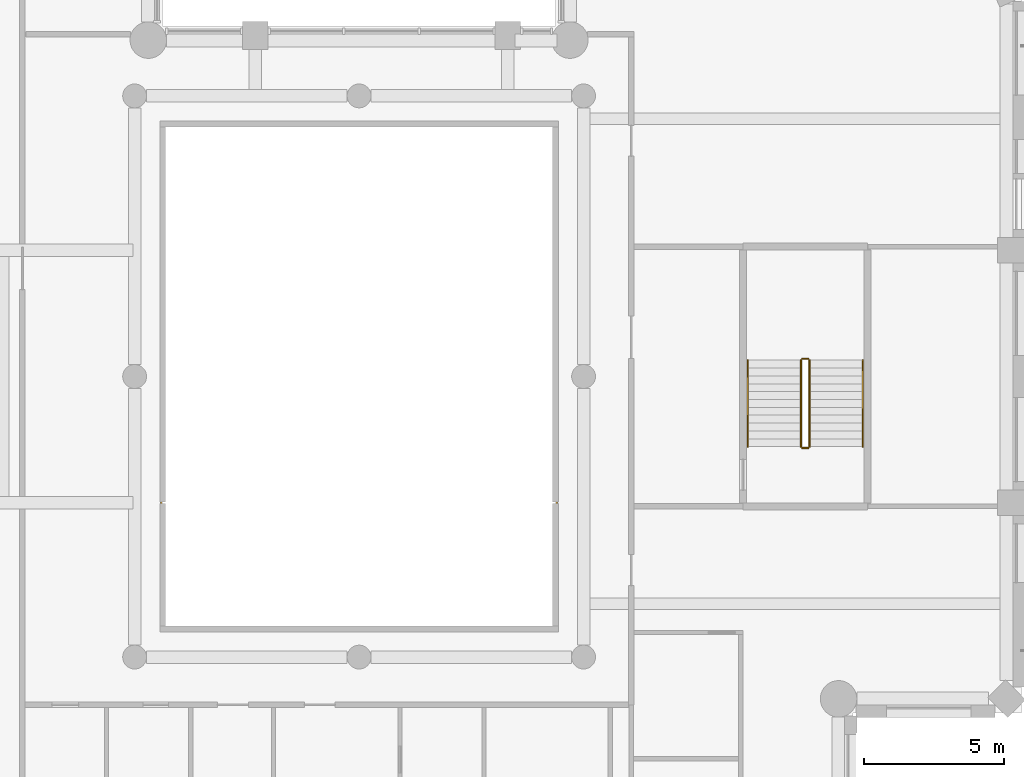
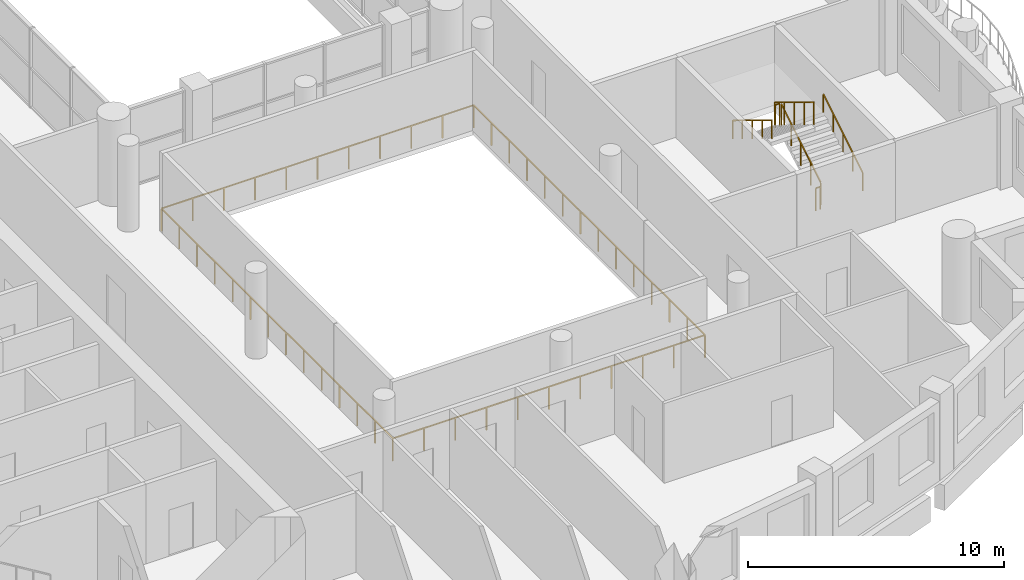
# One storey, part 11 of 14: 7 railings.
"""IFC4 building model written with IfcOpenShell, lengths in metres."""

import ifcopenshell
import ifcopenshell.guid

model = None  # the IFC model being written
_history = None  # IfcOwnerHistory: only IFC2X3 demands one
_inside = {}  # id of a spatial element -> (the spatial element, [elements in it])
_under = {}  # id of a project, library or spatial element -> (it, [spatial elements below it])
_declared = {}  # id of a project -> (the project, [libraries it declares])
_typed = {}  # id of a type object -> (the type object, [elements of that type])
_made_of = {}  # id of a material, layer set ... -> (it, [elements and type objects made of it])


def new_model(schema):
    """Start an empty IFC model of exactly this schema.

    Asked for "IFC4X3", IfcOpenShell would pick the latest addendum, in which some entities
    have other attributes; the version numbers below select the first issue.
    IFC2X3 requires an IfcOwnerHistory on every rooted entity: one is made here for all.
    """
    global model, _history
    if schema == "IFC4X3":
        model = ifcopenshell.file(schema_version=(4, 3, 0, 0))
    else:
        model = ifcopenshell.file(schema=schema)
    _inside.clear()
    _under.clear()
    _declared.clear()
    _typed.clear()
    _made_of.clear()
    _history = None
    if model.schema == "IFC2X3":
        org = make("IfcOrganization", Name="unknown")
        user = make(
            "IfcPersonAndOrganization",
            ThePerson=make("IfcPerson", FamilyName="unknown"),
            TheOrganization=org,
        )
        app = make(
            "IfcApplication",
            ApplicationDeveloper=org,
            Version="unknown",
            ApplicationFullName="unknown",
            ApplicationIdentifier="unknown",
        )
        _history = make(
            "IfcOwnerHistory",
            OwningUser=user,
            OwningApplication=app,
            ChangeAction="ADDED",
            CreationDate=0,
        )
    return model


def make(cls, **values):
    """One entity of the class cls with the attributes given. An attribute that is None is left unset."""
    return model.create_entity(
        cls, **{name: value for name, value in values.items() if value is not None}
    )


def rooted(cls, **values):
    """An entity with a GlobalId (a new one), such as an element, a storey or a relation."""
    return make(cls, GlobalId=ifcopenshell.guid.new(), OwnerHistory=_history, **values)


def si_unit(unit_type, name, prefix=None):
    """IfcSIUnit, for example si_unit("LENGTHUNIT", "METRE", prefix="MILLI")."""
    return make("IfcSIUnit", UnitType=unit_type, Prefix=prefix, Name=name)


def assignment(units):
    """IfcUnitAssignment: the units of a project."""
    return None if units is None else make("IfcUnitAssignment", Units=units)


def point(xyz):
    """IfcCartesianPoint."""
    return None if xyz is None else make("IfcCartesianPoint", Coordinates=xyz)


def direction(xyz):
    """IfcDirection."""
    return None if xyz is None else make("IfcDirection", DirectionRatios=xyz)


def frame(location, z_axis=None, x_axis=None):
    """IfcAxis2Placement3D, a coordinate frame: its origin and axes. An axis left out is left unset."""
    return make(
        "IfcAxis2Placement3D",
        Location=point(location),
        Axis=direction(z_axis),
        RefDirection=direction(x_axis),
    )


def frame_2d(location, x_axis=None):
    """IfcAxis2Placement2D, a coordinate frame in the plane: its origin and x axis."""
    return make(
        "IfcAxis2Placement2D", Location=point(location), RefDirection=direction(x_axis)
    )


def origin():
    """The frame at (0, 0, 0) with its axes left unset."""
    return frame((0.0, 0.0, 0.0))


def origin_2d():
    """The frame at (0, 0) in the plane with its x axis left unset."""
    return frame_2d((0.0, 0.0))


def place(relative_to, where):
    """IfcLocalPlacement: puts the frame where relative to a parent placement (None: the world)."""
    return make(
        "IfcLocalPlacement", PlacementRelTo=relative_to, RelativePlacement=where
    )


def context(
    kind, dimensions, precision=None, world=None, true_north=None, identifier=None
):
    """IfcGeometricRepresentationContext, for example the 3D "Model" context."""
    return make(
        "IfcGeometricRepresentationContext",
        ContextIdentifier=identifier,
        ContextType=kind,
        CoordinateSpaceDimension=dimensions,
        Precision=precision,
        WorldCoordinateSystem=world,
        TrueNorth=true_north,
    )


def subcontext(parent, identifier, kind, view, scale=None):
    """IfcGeometricRepresentationSubContext, for example "Body" below "Model"."""
    return make(
        "IfcGeometricRepresentationSubContext",
        ContextIdentifier=identifier,
        ContextType=kind,
        ParentContext=parent,
        TargetScale=scale,
        TargetView=view,
    )


def project(units=None, contexts=None):
    """IfcProject with its units and contexts."""
    return rooted(
        "IfcProject",
        Name="project",
        RepresentationContexts=contexts,
        UnitsInContext=assignment(units),
    )


def spatial(cls, under=None, at=None, **own):
    """A site, building, storey or space (cls), placed at a placement, below another one or the project."""
    s = rooted(cls, ObjectPlacement=at, **own)
    if under is not None:
        _under.setdefault(under.id(), (under, []))[1].append(s)
    return s


def profile(cls, at=None, kind="AREA", **sizes):
    """A parametric profile (cls). Its sizes go by their IFC names, for example OverallWidth=200.0."""
    return make(cls, ProfileType=kind, Position=at, **sizes)


def rectangle(**sizes):
    """IfcRectangleProfileDef."""
    return profile("IfcRectangleProfileDef", **sizes)


def extrude(swept, where, along, depth):
    """IfcExtrudedAreaSolid: the profile swept, set in the frame where, extruded along a direction by depth."""
    return make(
        "IfcExtrudedAreaSolid",
        SweptArea=swept,
        Position=where,
        ExtrudedDirection=direction(along),
        Depth=depth,
    )


def shape(context_of_items, identifier, shape_type, items):
    """IfcShapeRepresentation: the items that make up one representation, for example the "Body"."""
    return make(
        "IfcShapeRepresentation",
        ContextOfItems=context_of_items,
        RepresentationIdentifier=identifier,
        RepresentationType=shape_type,
        Items=items,
    )


def material(Name=None, Category=None):
    """IfcMaterial."""
    return make("IfcMaterial", Name=Name, Category=Category)


def made_of(thing, what):
    """Note that an element or type object is made of a material, layer set ...; save() writes the relation."""
    if what is not None:
        _made_of.setdefault(what.id(), (what, []))[1].append(thing)
    return thing


def type_object(cls, material=None, **own):
    """A type object (cls), such as IfcWallType, which elements share."""
    return made_of(rooted(cls, **own), material)


def element(
    cls,
    number,
    at=None,
    inside=None,
    cuts=None,
    type_object=None,
    material=None,
    context=None,
    identifier="Body",
    shape_type=None,
    held_by="IfcProductDefinitionShape",
    body=None,
    shapes=None,
    **own,
):
    """One element of the class cls, such as IfcWall. Its Tag is "e" and its number.

    at: its placement. inside: the storey or other place that contains it. cuts: it is an
    opening in that element (IfcRelVoidsElement). A single representation is given by context,
    identifier, shape_type and body (its items); several are given by shapes. held_by: the class
    of the entity that holds the representations. save() writes the other relations.
    """
    e = rooted(cls, Tag="e%d" % number, ObjectPlacement=at, **own)
    if body is not None:
        shapes = [shape(context, identifier, shape_type, body)]
    if shapes is not None:
        e.Representation = make(held_by, Representations=shapes)
    if inside is not None:
        _inside.setdefault(inside.id(), (inside, []))[1].append(e)
    if cuts is not None:
        rooted(
            "IfcRelVoidsElement", RelatingBuildingElement=cuts, RelatedOpeningElement=e
        )
    if type_object is not None:
        _typed.setdefault(type_object.id(), (type_object, []))[1].append(e)
    return made_of(e, material)


def aggregate(whole, parts):
    """IfcRelAggregates: a whole, such as a stair, and the parts it consists of."""
    return rooted("IfcRelAggregates", RelatingObject=whole, RelatedObjects=parts)


def save(model, path):
    """Write the relations noted so far, then the file.

    IfcRelAggregates (storeys below a building ...), IfcRelContainedInSpatialStructure (elements
    in a storey), IfcRelDefinesByType, IfcRelAssociatesMaterial and IfcRelDeclares: one each for
    every whole, place, type object, material and project.
    """
    for whole, parts in _under.values():
        aggregate(whole, parts)
    for where, things in _inside.values():
        rooted(
            "IfcRelContainedInSpatialStructure",
            RelatedElements=things,
            RelatingStructure=where,
        )
    for kind, things in _typed.values():
        rooted("IfcRelDefinesByType", RelatedObjects=things, RelatingType=kind)
    for what, things in _made_of.values():
        rooted("IfcRelAssociatesMaterial", RelatedObjects=things, RelatingMaterial=what)
    for by, libraries in _declared.values():
        rooted("IfcRelDeclares", RelatingContext=by, RelatedDefinitions=libraries)
    model.write(path)


model = new_model("IFC4")

# Units and contexts
model_context = context("Model", 3, precision=1e-05, world=origin(), true_north=direction((0.0, 1.0)))
body_context = subcontext(model_context, "Body", "Model", "MODEL_VIEW")
ifc_project = project(units=[si_unit("LENGTHUNIT", "METRE"), si_unit("AREAUNIT", "SQUARE_METRE"), si_unit("VOLUMEUNIT", "CUBIC_METRE"), si_unit("PLANEANGLEUNIT", "RADIAN"), si_unit("MASSUNIT", "GRAM", prefix="KILO")], contexts=[model_context])

# Site, building, storey
site_placement = place(None, origin())
site = spatial("IfcSite", under=ifc_project, at=site_placement, CompositionType="ELEMENT")
building_placement = place(site_placement, origin())
building = spatial("IfcBuilding", under=site, at=building_placement, Name="Cypress Arch Tower", CompositionType="ELEMENT")
storey_placement = place(building_placement, frame((0.0, 0.0, 276.199951171875)))
storey = spatial("IfcBuildingStorey", under=building, at=storey_placement, Name="L62", CompositionType="ELEMENT", Elevation=276.199951171875)

# Railings
ifc_material_1 = material(Name="Stainless steel posts and handrail, laminated glass infill", Category="steel")
railing_type_1 = type_object("IfcRailingType", Name="Atrium guard GR1100A", PredefinedType="GUARDRAIL", material=ifc_material_1)
railing_1_placement = place(storey_placement, frame((8.050048828125, -9.050048828125, 0.0)))
element("IfcRailing", 1, at=railing_1_placement, inside=storey, type_object=railing_type_1, Name="Atrium guard L62", PredefinedType="GUARDRAIL", context=body_context, shape_type="SweptSolid", body=[
    extrude(rectangle(XDim=0.050048828125, YDim=0.050048828125, at=origin_2d()), frame((0.0, 0.0, 1.0751953125), z_axis=(-1.0, 0.0, 0.0), x_axis=(0.0, -1.0, 0.0)), (0.0, 0.0, 1.0), 14.10009765625),
    extrude(rectangle(XDim=0.050048828125, YDim=0.050048828125, at=origin_2d()), frame((-14.10009765625, 0.0, 1.0751953125), z_axis=(0.0, 1.0, 0.0), x_axis=(-1.0, 0.0, 0.0)), (0.0, 0.0, 1.0), 18.10009765625),
    extrude(rectangle(XDim=0.050048828125, YDim=0.050048828125, at=origin_2d()), frame((-14.10009765625, 18.10009765625, 1.0751953125), z_axis=(1.0, 0.0, 0.0), x_axis=(0.0, 1.0, 0.0)), (0.0, 0.0, 1.0), 14.10009765625),
    extrude(rectangle(XDim=0.050048828125, YDim=0.050048828125, at=origin_2d()), frame((0.0, 18.10009765625, 1.0751953125), z_axis=(0.0, -1.0, 0.0), x_axis=(1.0, 0.0, 0.0)), (0.0, 0.0, 1.0), 18.10009765625),
    extrude(rectangle(XDim=0.050048828125, YDim=0.050048828125, at=origin_2d()), origin(), (0.0, 0.0, 1.0), 1.050048828125),
    extrude(rectangle(XDim=0.050048828125, YDim=0.050048828125, at=origin_2d()), frame((-1.409912109375, 0.0, 0.0)), (0.0, 0.0, 1.0), 1.050048828125),
    extrude(rectangle(XDim=0.050048828125, YDim=0.050048828125, at=origin_2d()), frame((-2.820068359375, 0.0, 0.0)), (0.0, 0.0, 1.0), 1.050048828125),
    extrude(rectangle(XDim=0.050048828125, YDim=0.050048828125, at=origin_2d()), frame((-4.22998046875, 0.0, 0.0)), (0.0, 0.0, 1.0), 1.050048828125),
    extrude(rectangle(XDim=0.050048828125, YDim=0.050048828125, at=origin_2d()), frame((-5.64013671875, 0.0, 0.0)), (0.0, 0.0, 1.0), 1.050048828125),
    extrude(rectangle(XDim=0.050048828125, YDim=0.050048828125, at=origin_2d()), frame((-7.050048828125, 0.0, 0.0)), (0.0, 0.0, 1.0), 1.050048828125),
    extrude(rectangle(XDim=0.050048828125, YDim=0.050048828125, at=origin_2d()), frame((-8.4599609375, 0.0, 0.0)), (0.0, 0.0, 1.0), 1.050048828125),
    extrude(rectangle(XDim=0.050048828125, YDim=0.050048828125, at=origin_2d()), frame((-9.8701171875, 0.0, 0.0)), (0.0, 0.0, 1.0), 1.050048828125),
    extrude(rectangle(XDim=0.050048828125, YDim=0.050048828125, at=origin_2d()), frame((-11.280029296875, 0.0, 0.0)), (0.0, 0.0, 1.0), 1.050048828125),
    extrude(rectangle(XDim=0.050048828125, YDim=0.050048828125, at=origin_2d()), frame((-12.690185546875, 0.0, 0.0)), (0.0, 0.0, 1.0), 1.050048828125),
    extrude(rectangle(XDim=0.050048828125, YDim=0.050048828125, at=origin_2d()), frame((-14.10009765625, 0.0, 0.0)), (0.0, 0.0, 1.0), 1.050048828125),
    extrude(rectangle(XDim=0.050048828125, YDim=0.050048828125, at=origin_2d()), frame((-14.10009765625, 1.392333984375, 0.0)), (0.0, 0.0, 1.0), 1.050048828125),
    extrude(rectangle(XDim=0.050048828125, YDim=0.050048828125, at=origin_2d()), frame((-14.10009765625, 2.78466796875, 0.0)), (0.0, 0.0, 1.0), 1.050048828125),
    extrude(rectangle(XDim=0.050048828125, YDim=0.050048828125, at=origin_2d()), frame((-14.10009765625, 4.177001953125, 0.0)), (0.0, 0.0, 1.0), 1.050048828125),
    extrude(rectangle(XDim=0.050048828125, YDim=0.050048828125, at=origin_2d()), frame((-14.10009765625, 5.5693359375, 0.0)), (0.0, 0.0, 1.0), 1.050048828125),
    extrude(rectangle(XDim=0.050048828125, YDim=0.050048828125, at=origin_2d()), frame((-14.10009765625, 6.961669921875, 0.0)), (0.0, 0.0, 1.0), 1.050048828125),
    extrude(rectangle(XDim=0.050048828125, YDim=0.050048828125, at=origin_2d()), frame((-14.10009765625, 8.35400390625, 0.0)), (0.0, 0.0, 1.0), 1.050048828125),
    extrude(rectangle(XDim=0.050048828125, YDim=0.050048828125, at=origin_2d()), frame((-14.10009765625, 9.74609375, 0.0)), (0.0, 0.0, 1.0), 1.050048828125),
    extrude(rectangle(XDim=0.050048828125, YDim=0.050048828125, at=origin_2d()), frame((-14.10009765625, 11.138427734375, 0.0)), (0.0, 0.0, 1.0), 1.050048828125),
    extrude(rectangle(XDim=0.050048828125, YDim=0.050048828125, at=origin_2d()), frame((-14.10009765625, 12.53076171875, 0.0)), (0.0, 0.0, 1.0), 1.050048828125),
    extrude(rectangle(XDim=0.050048828125, YDim=0.050048828125, at=origin_2d()), frame((-14.10009765625, 13.923095703125, 0.0)), (0.0, 0.0, 1.0), 1.050048828125),
    extrude(rectangle(XDim=0.050048828125, YDim=0.050048828125, at=origin_2d()), frame((-14.10009765625, 15.3154296875, 0.0)), (0.0, 0.0, 1.0), 1.050048828125),
    extrude(rectangle(XDim=0.050048828125, YDim=0.050048828125, at=origin_2d()), frame((-14.10009765625, 16.707763671875, 0.0)), (0.0, 0.0, 1.0), 1.050048828125),
    extrude(rectangle(XDim=0.050048828125, YDim=0.050048828125, at=origin_2d()), frame((-14.10009765625, 18.10009765625, 0.0)), (0.0, 0.0, 1.0), 1.050048828125),
    extrude(rectangle(XDim=0.050048828125, YDim=0.050048828125, at=origin_2d()), frame((-12.690185546875, 18.10009765625, 0.0)), (0.0, 0.0, 1.0), 1.050048828125),
    extrude(rectangle(XDim=0.050048828125, YDim=0.050048828125, at=origin_2d()), frame((-11.280029296875, 18.10009765625, 0.0)), (0.0, 0.0, 1.0), 1.050048828125),
    extrude(rectangle(XDim=0.050048828125, YDim=0.050048828125, at=origin_2d()), frame((-9.8701171875, 18.10009765625, 0.0)), (0.0, 0.0, 1.0), 1.050048828125),
    extrude(rectangle(XDim=0.050048828125, YDim=0.050048828125, at=origin_2d()), frame((-8.4599609375, 18.10009765625, 0.0)), (0.0, 0.0, 1.0), 1.050048828125),
    extrude(rectangle(XDim=0.050048828125, YDim=0.050048828125, at=origin_2d()), frame((-7.050048828125, 18.10009765625, 0.0)), (0.0, 0.0, 1.0), 1.050048828125),
    extrude(rectangle(XDim=0.050048828125, YDim=0.050048828125, at=origin_2d()), frame((-5.64013671875, 18.10009765625, 0.0)), (0.0, 0.0, 1.0), 1.050048828125),
    extrude(rectangle(XDim=0.050048828125, YDim=0.050048828125, at=origin_2d()), frame((-4.22998046875, 18.10009765625, 0.0)), (0.0, 0.0, 1.0), 1.050048828125),
    extrude(rectangle(XDim=0.050048828125, YDim=0.050048828125, at=origin_2d()), frame((-2.820068359375, 18.10009765625, 0.0)), (0.0, 0.0, 1.0), 1.050048828125),
    extrude(rectangle(XDim=0.050048828125, YDim=0.050048828125, at=origin_2d()), frame((-1.409912109375, 18.10009765625, 0.0)), (0.0, 0.0, 1.0), 1.050048828125),
    extrude(rectangle(XDim=0.050048828125, YDim=0.050048828125, at=origin_2d()), frame((0.0, 18.10009765625, 0.0)), (0.0, 0.0, 1.0), 1.050048828125),
    extrude(rectangle(XDim=0.050048828125, YDim=0.050048828125, at=origin_2d()), frame((0.0, 16.707763671875, 0.0)), (0.0, 0.0, 1.0), 1.050048828125),
    extrude(rectangle(XDim=0.050048828125, YDim=0.050048828125, at=origin_2d()), frame((0.0, 15.3154296875, 0.0)), (0.0, 0.0, 1.0), 1.050048828125),
    extrude(rectangle(XDim=0.050048828125, YDim=0.050048828125, at=origin_2d()), frame((0.0, 13.923095703125, 0.0)), (0.0, 0.0, 1.0), 1.050048828125),
    extrude(rectangle(XDim=0.050048828125, YDim=0.050048828125, at=origin_2d()), frame((0.0, 12.53076171875, 0.0)), (0.0, 0.0, 1.0), 1.050048828125),
    extrude(rectangle(XDim=0.050048828125, YDim=0.050048828125, at=origin_2d()), frame((0.0, 11.138427734375, 0.0)), (0.0, 0.0, 1.0), 1.050048828125),
    extrude(rectangle(XDim=0.050048828125, YDim=0.050048828125, at=origin_2d()), frame((0.0, 9.74609375, 0.0)), (0.0, 0.0, 1.0), 1.050048828125),
    extrude(rectangle(XDim=0.050048828125, YDim=0.050048828125, at=origin_2d()), frame((0.0, 8.35400390625, 0.0)), (0.0, 0.0, 1.0), 1.050048828125),
    extrude(rectangle(XDim=0.050048828125, YDim=0.050048828125, at=origin_2d()), frame((0.0, 6.961669921875, 0.0)), (0.0, 0.0, 1.0), 1.050048828125),
    extrude(rectangle(XDim=0.050048828125, YDim=0.050048828125, at=origin_2d()), frame((0.0, 5.5693359375, 0.0)), (0.0, 0.0, 1.0), 1.050048828125),
    extrude(rectangle(XDim=0.050048828125, YDim=0.050048828125, at=origin_2d()), frame((0.0, 4.177001953125, 0.0)), (0.0, 0.0, 1.0), 1.050048828125),
    extrude(rectangle(XDim=0.050048828125, YDim=0.050048828125, at=origin_2d()), frame((0.0, 2.78466796875, 0.0)), (0.0, 0.0, 1.0), 1.050048828125),
    extrude(rectangle(XDim=0.050048828125, YDim=0.050048828125, at=origin_2d()), frame((0.0, 1.392333984375, 0.0)), (0.0, 0.0, 1.0), 1.050048828125),
])
ifc_material_2 = material(Name="Black powder-coated steel square bar 48 mm", Category="steel")
railing_type_2 = type_object("IfcRailingType", Name="Stair handrail HR1", PredefinedType="HANDRAIL", material=ifc_material_2)
railing_2_placement = place(storey_placement, frame((18.949951171875, -2.5, 0.1708984375)))
element("IfcRailing", 2, at=railing_2_placement, inside=storey, type_object=railing_type_2, Name="L62 C stair handrail 1", PredefinedType="HANDRAIL", context=body_context, shape_type="SweptSolid", body=[
    extrude(rectangle(XDim=0.048095703125, YDim=0.048095703125, at=origin_2d()), frame((0.0, 0.0, 0.8759765625), z_axis=(0.0, 0.853666305674, 0.52082035152), x_axis=(-1.0, 0.0, 0.0)), (0.0, 0.0, 1.0), 3.608154296875),
    extrude(rectangle(XDim=0.0419921875, YDim=0.0419921875, at=origin_2d()), origin(), (0.0, 0.0, 1.0), 0.851806640625),
    extrude(rectangle(XDim=0.0419921875, YDim=0.0419921875, at=origin_2d()), frame((0.0, 0.77001953125, 0.4697265625)), (0.0, 0.0, 1.0), 0.851806640625),
    extrude(rectangle(XDim=0.0419921875, YDim=0.0419921875, at=origin_2d()), frame((0.0, 1.5400390625, 0.939453125)), (0.0, 0.0, 1.0), 0.851806640625),
    extrude(rectangle(XDim=0.0419921875, YDim=0.0419921875, at=origin_2d()), frame((0.0, 2.31005859375, 1.409423828125)), (0.0, 0.0, 1.0), 0.851806640625),
    extrude(rectangle(XDim=0.0419921875, YDim=0.0419921875, at=origin_2d()), frame((0.0, 3.080078125, 1.879150390625)), (0.0, 0.0, 1.0), 0.851806640625),
])
railing_3_placement = place(storey_placement, frame((14.85009765625, 0.580078125, 2.220947265625)))
element("IfcRailing", 3, at=railing_3_placement, inside=storey, type_object=railing_type_2, Name="L62 C stair handrail 2", PredefinedType="HANDRAIL", context=body_context, shape_type="SweptSolid", body=[
    extrude(rectangle(XDim=0.048095703125, YDim=0.048095703125, at=origin_2d()), frame((0.0, 0.0, 0.8759765625), z_axis=(0.0, -0.853666305674, 0.52082035152), x_axis=(1.0, 0.0, 0.0)), (0.0, 0.0, 1.0), 3.608154296875),
    extrude(rectangle(XDim=0.0419921875, YDim=0.0419921875, at=origin_2d()), origin(), (0.0, 0.0, 1.0), 0.851806640625),
    extrude(rectangle(XDim=0.0419921875, YDim=0.0419921875, at=origin_2d()), frame((0.0, -0.77001953125, 0.4697265625)), (0.0, 0.0, 1.0), 0.851806640625),
    extrude(rectangle(XDim=0.0419921875, YDim=0.0419921875, at=origin_2d()), frame((0.0, -1.5400390625, 0.939453125)), (0.0, 0.0, 1.0), 0.851806640625),
    extrude(rectangle(XDim=0.0419921875, YDim=0.0419921875, at=origin_2d()), frame((0.0, -2.31005859375, 1.409423828125)), (0.0, 0.0, 1.0), 0.851806640625),
    extrude(rectangle(XDim=0.0419921875, YDim=0.0419921875, at=origin_2d()), frame((0.0, -3.080078125, 1.879150390625)), (0.0, 0.0, 1.0), 0.851806640625),
])
ifc_material_3 = material(Name="Black powder-coated steel balusters", Category="steel")
railing_type_3 = type_object("IfcRailingType", Name="Stair well guard G1", PredefinedType="GUARDRAIL", material=ifc_material_3)
railing_4_placement = place(storey_placement, frame((17.050048828125, -2.5, 0.1708984375)))
element("IfcRailing", 4, at=railing_4_placement, inside=storey, type_object=railing_type_3, Name="L62 C stair guard 1", PredefinedType="GUARDRAIL", context=body_context, shape_type="SweptSolid", body=[
    extrude(rectangle(XDim=0.048095703125, YDim=0.048095703125, at=origin_2d()), frame((0.0, 0.0, 1.076171875), z_axis=(0.0, 0.853666305674, 0.52082035152), x_axis=(-1.0, 0.0, 0.0)), (0.0, 0.0, 1.0), 3.608154296875),
    extrude(rectangle(XDim=0.0419921875, YDim=0.0419921875, at=origin_2d()), origin(), (0.0, 0.0, 1.0), 1.052001953125),
    extrude(rectangle(XDim=0.0419921875, YDim=0.0419921875, at=origin_2d()), frame((0.0, 0.77001953125, 0.4697265625)), (0.0, 0.0, 1.0), 1.052001953125),
    extrude(rectangle(XDim=0.0419921875, YDim=0.0419921875, at=origin_2d()), frame((0.0, 1.5400390625, 0.939453125)), (0.0, 0.0, 1.0), 1.052001953125),
    extrude(rectangle(XDim=0.0419921875, YDim=0.0419921875, at=origin_2d()), frame((0.0, 2.31005859375, 1.409423828125)), (0.0, 0.0, 1.0), 1.052001953125),
    extrude(rectangle(XDim=0.0419921875, YDim=0.0419921875, at=origin_2d()), frame((0.0, 3.080078125, 1.879150390625)), (0.0, 0.0, 1.0), 1.052001953125),
])
railing_5_placement = place(storey_placement, frame((17.0, 0.6298828125, 2.050048828125)))
element("IfcRailing", 5, at=railing_5_placement, inside=storey, type_object=railing_type_3, Name="L62 C stair guard 2", PredefinedType="GUARDRAIL", context=body_context, shape_type="SweptSolid", body=[
    extrude(rectangle(XDim=0.048095703125, YDim=0.048095703125, at=origin_2d()), frame((0.0, 0.0, 1.076171875), z_axis=(-1.0, 0.0, 0.0), x_axis=(0.0, -1.0, 0.0)), (0.0, 0.0, 1.0), 0.199951171875),
    extrude(rectangle(XDim=0.0419921875, YDim=0.0419921875, at=origin_2d()), origin(), (0.0, 0.0, 1.0), 1.052001953125),
    extrude(rectangle(XDim=0.0419921875, YDim=0.0419921875, at=origin_2d()), frame((-0.199951171875, 0.0, 0.0)), (0.0, 0.0, 1.0), 1.052001953125),
])
railing_6_placement = place(storey_placement, frame((16.75, 0.580078125, 2.220947265625)))
element("IfcRailing", 6, at=railing_6_placement, inside=storey, type_object=railing_type_3, Name="L62 C stair guard 3", PredefinedType="GUARDRAIL", context=body_context, shape_type="SweptSolid", body=[
    extrude(rectangle(XDim=0.048095703125, YDim=0.048095703125, at=origin_2d()), frame((0.0, 0.0, 1.076171875), z_axis=(0.0, -0.853666305674, 0.52082035152), x_axis=(1.0, 0.0, 0.0)), (0.0, 0.0, 1.0), 3.608154296875),
    extrude(rectangle(XDim=0.0419921875, YDim=0.0419921875, at=origin_2d()), origin(), (0.0, 0.0, 1.0), 1.052001953125),
    extrude(rectangle(XDim=0.0419921875, YDim=0.0419921875, at=origin_2d()), frame((0.0, -0.77001953125, 0.4697265625)), (0.0, 0.0, 1.0), 1.052001953125),
    extrude(rectangle(XDim=0.0419921875, YDim=0.0419921875, at=origin_2d()), frame((0.0, -1.5400390625, 0.939453125)), (0.0, 0.0, 1.0), 1.052001953125),
    extrude(rectangle(XDim=0.0419921875, YDim=0.0419921875, at=origin_2d()), frame((0.0, -2.31005859375, 1.409423828125)), (0.0, 0.0, 1.0), 1.052001953125),
    extrude(rectangle(XDim=0.0419921875, YDim=0.0419921875, at=origin_2d()), frame((0.0, -3.080078125, 1.879150390625)), (0.0, 0.0, 1.0), 1.052001953125),
])
railing_7_placement = place(storey_placement, frame((17.0, -2.550048828125, 0.0)))
element("IfcRailing", 7, at=railing_7_placement, inside=storey, type_object=railing_type_3, Name="L62 C stair guard 4", PredefinedType="GUARDRAIL", context=body_context, shape_type="SweptSolid", body=[
    extrude(rectangle(XDim=0.048095703125, YDim=0.048095703125, at=origin_2d()), frame((0.0, 0.0, 1.076171875), z_axis=(-1.0, 0.0, 0.0), x_axis=(0.0, -1.0, 0.0)), (0.0, 0.0, 1.0), 0.199951171875),
    extrude(rectangle(XDim=0.0419921875, YDim=0.0419921875, at=origin_2d()), origin(), (0.0, 0.0, 1.0), 1.052001953125),
    extrude(rectangle(XDim=0.0419921875, YDim=0.0419921875, at=origin_2d()), frame((-0.199951171875, 0.0, 0.0)), (0.0, 0.0, 1.0), 1.052001953125),
])

save(model, "model.ifc")
